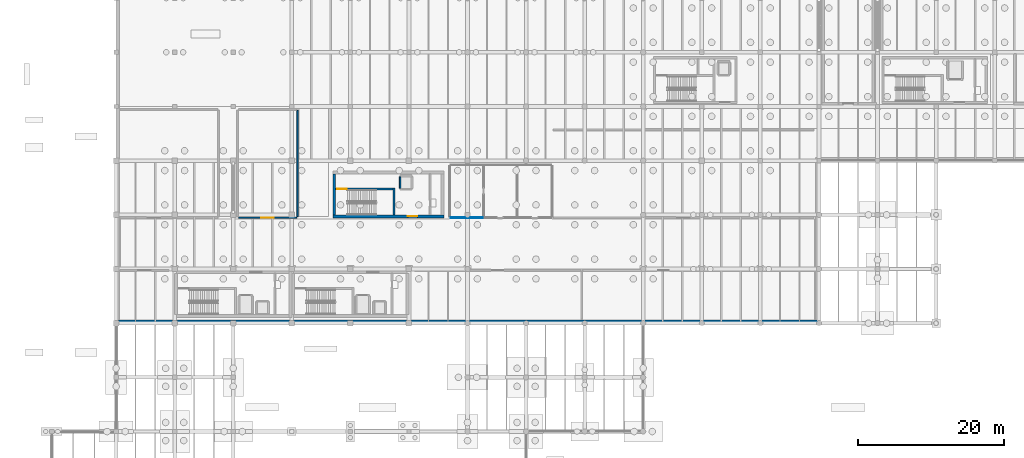
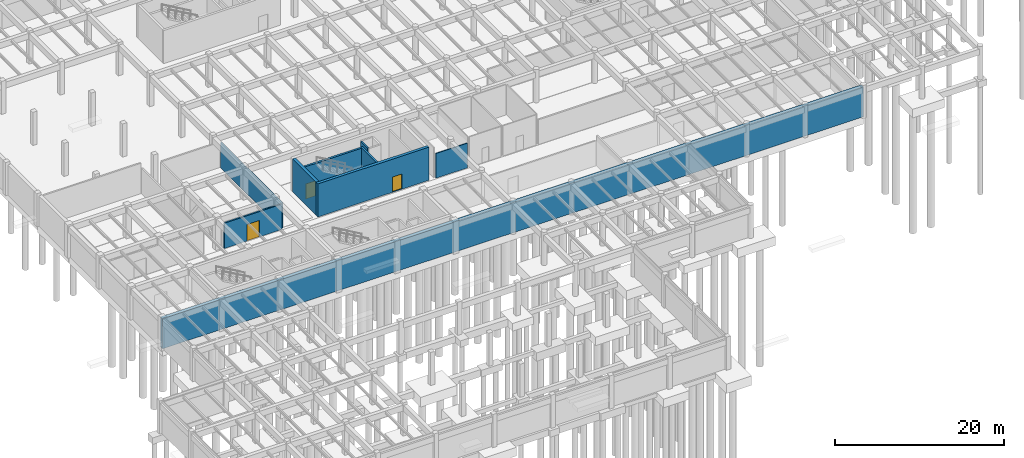
# One storey, part 20 of 40: 9 walls, 3 doors, 3 openings.
"""IFC4 building model written with IfcOpenShell, lengths in metres."""

from ifc_helpers import new_model, si_unit, direction, frame, frame_2d, origin, place, context, subcontext, project, spatial, rectangle, extrude, material, layer, layer_set, type_object, element, fill, save


model = new_model("IFC4")

# Units and contexts
model_context = context("Model", 3, precision=1e-05, world=origin(), true_north=direction((0.0, 1.0)))
body_context = subcontext(model_context, "Body", "Model", "MODEL_VIEW")
ifc_project = project(units=[si_unit("LENGTHUNIT", "METRE"), si_unit("AREAUNIT", "SQUARE_METRE"), si_unit("VOLUMEUNIT", "CUBIC_METRE"), si_unit("PLANEANGLEUNIT", "RADIAN"), si_unit("MASSUNIT", "GRAM", prefix="KILO")], contexts=[model_context])

# Site, building, storey
site_placement = place(None, origin())
site = spatial("IfcSite", under=ifc_project, at=site_placement, CompositionType="ELEMENT")
building_placement = place(site_placement, origin())
building = spatial("IfcBuilding", under=site, at=building_placement, Name="Valkorina Park Police Headquarters", CompositionType="ELEMENT")
storey_placement = place(building_placement, frame((0.0, 0.0, -4.800048828125)))
storey = spatial("IfcBuildingStorey", under=building, at=storey_placement, Name="B01", CompositionType="ELEMENT", Elevation=-4.800048828125)

# Wall
ifc_material_1 = material(Name="Autoclaved aerated concrete masonry", Category="masonry")
ifc_layer_1 = layer(ifc_material_1, 0.219970703125)
ifc_layer_set_1 = layer_set([ifc_layer_1], Name="Autoclaved aerated concrete masonry")
wall_type_1 = type_object("IfcWallType", Name="WL-CHASE-220-EI60", PredefinedType="PLUMBINGWALL", material=ifc_layer_set_1)
wall_1_placement = place(storey_placement, frame((47.590087890625, 55.39990234375, 0.0), z_axis=(0.0, 0.0, 1.0), x_axis=(0.0, 1.0, 0.0)))
element("IfcWall", 1, at=wall_1_placement, inside=storey, type_object=wall_type_1, Name="Lift LF-05 B01 Shaft Side Wall W", PredefinedType="PLUMBINGWALL", context=body_context, shape_type="SweptSolid", body=[
    extrude(rectangle(XDim=1.60009765625, YDim=0.219970703125, at=frame_2d((0.800048828125, 0.0))), origin(), (0.0, 0.0, 1.0), 4.380126953125),
])

# Wall, opening, door
ifc_material_2 = material(Name="Concrete C40/50", Category="concrete")
ifc_layer_2 = layer(ifc_material_2, 0.39990234375)
ifc_layer_set_2 = layer_set([ifc_layer_2], Name="Concrete C40/50")
wall_type_2 = type_object("IfcWallType", Name="WL-CORE-400-REI180", PredefinedType="SHEAR", material=ifc_layer_set_2)
wall_2_placement = place(storey_placement, frame((38.39990234375, 51.60009765625, 0.0), z_axis=(0.0, 0.0, 1.0), x_axis=(1.0, 0.0, 0.0)))
wall_2 = element("IfcWall", 2, at=wall_2_placement, inside=storey, type_object=wall_type_2, Name="Core C3 B01 Shear Wall S", PredefinedType="SHEAR", context=body_context, shape_type="SweptSolid", body=[
    extrude(rectangle(XDim=15.2001953125, YDim=0.39990234375, at=frame_2d((7.60009765625, 0.0))), origin(), (0.0, 0.0, 1.0), 4.795166015625),
])
opening_1_placement = place(wall_2_placement, frame((10.25, 0.0, 0.0)))
opening_1 = element("IfcOpeningElement", 3, at=opening_1_placement, cuts=wall_2, Name="Opening FD-03", PredefinedType="OPENING", context=body_context, shape_type="SweptSolid", body=[
    extrude(rectangle(XDim=1.300048828125, YDim=2.199951171875, at=frame_2d((0.64990234375, 1.10009765625))), frame((0.0, 0.2099609375, 0.0), z_axis=(0.0, -1.0, 0.0), x_axis=(1.0, 0.0, 0.0)), (0.0, 0.0, 1.0), 0.419921875),
])
ifc_material_3 = material(Name="Galvanized steel door leaf", Category="steel")
ifc_layer_3 = layer(ifc_material_3, 0.050048828125)
ifc_layer_set_3 = layer_set([ifc_layer_3], Name="Galvanized steel door leaf")
door_type_1 = type_object("IfcDoorType", Name="DR-FIRE-STAIR-1300x2200", OperationType="NOTDEFINED", PredefinedType="DOOR", material=ifc_layer_set_3)
door_1_placement = place(opening_1_placement, origin())
door_1 = element("IfcDoor", 4, at=door_1_placement, inside=storey, type_object=door_type_1, Name="Door D-B01-LBY-C3 (Core C3 Lobby Fire Door)", OperationType="SINGLE_SWING_LEFT", OverallHeight=2.199951171875, OverallWidth=1.300048828125, PredefinedType="DOOR", context=body_context, shape_type="SweptSolid", body=[
    extrude(rectangle(XDim=1.300048828125, YDim=2.199951171875, at=frame_2d((0.64990234375, 1.10009765625))), frame((0.0, 0.02490234375, 0.0), z_axis=(0.0, -1.0, 0.0), x_axis=(1.0, 0.0, 0.0)), (0.0, 0.0, 1.0), 0.050048828125),
])
fill(opening_1, door_1)

# Wall
wall_3_placement = place(storey_placement, frame((38.60009765625, 51.800048828125, 0.0), z_axis=(0.0, 0.0, 1.0), x_axis=(0.0, 1.0, 0.0)))
element("IfcWall", 5, at=wall_3_placement, inside=storey, type_object=wall_type_2, Name="Core C3 B01 Shear Wall W", PredefinedType="SHEAR", context=body_context, shape_type="SweptSolid", body=[
    extrude(rectangle(XDim=5.599853515625, YDim=0.39990234375, at=frame_2d((2.7998046875, 0.0))), origin(), (0.0, 0.0, 1.0), 4.795166015625),
])

# Wall, opening, door
ifc_layer_4 = layer(ifc_material_1, 0.199951171875)
ifc_layer_set_4 = layer_set([ifc_layer_4], Name="Autoclaved aerated concrete masonry")
wall_type_3 = type_object("IfcWallType", Name="WL-CORR-200-EI60", PredefinedType="STANDARD", material=ifc_layer_set_4)
wall_4_placement = place(storey_placement, frame((25.5400390625, 51.39990234375, 0.0), z_axis=(0.0, 0.0, 1.0), x_axis=(1.0, 0.0, 0.0)))
wall_4 = element("IfcWall", 6, at=wall_4_placement, inside=storey, type_object=wall_type_3, Name="B01 Interior Partition 0005 (B01-PLT-03)", PredefinedType="STANDARD", context=body_context, shape_type="SweptSolid", body=[
    extrude(rectangle(XDim=7.919921875, YDim=0.199951171875, at=frame_2d((3.9599609375, 0.0))), origin(), (0.0, 0.0, 1.0), 3.670166015625),
])
opening_2_placement = place(wall_4_placement, frame((3.110107421875, 0.0, 0.0)))
opening_2 = element("IfcOpeningElement", 7, at=opening_2_placement, cuts=wall_4, Name="Opening FD-08", PredefinedType="OPENING", context=body_context, shape_type="SweptSolid", body=[
    extrude(rectangle(XDim=1.699951171875, YDim=2.39990234375, at=frame_2d((0.85009765625, 1.199951171875))), frame((0.0, 0.10986328125, 0.0), z_axis=(0.0, -1.0, 0.0), x_axis=(1.0, 0.0, 0.0)), (0.0, 0.0, 1.0), 0.219970703125),
])
ifc_layer_5 = layer(ifc_material_3, 0.050048828125)
ifc_layer_set_5 = layer_set([ifc_layer_5], Name="Galvanized steel door leaf")
door_type_2 = type_object("IfcDoorType", Name="DR-FIRE-PLANT-1700x2400", OperationType="NOTDEFINED", PredefinedType="DOOR", material=ifc_layer_set_5)
door_2_placement = place(opening_2_placement, origin())
door_2 = element("IfcDoor", 8, at=door_2_placement, inside=storey, type_object=door_type_2, Name="Door D-B01-I003 (B01-PLT-03)", OperationType="DOUBLE_DOOR_SINGLE_SWING", OverallHeight=2.39990234375, OverallWidth=1.699951171875, PredefinedType="DOOR", context=body_context, shape_type="SweptSolid", body=[
    extrude(rectangle(XDim=1.699951171875, YDim=2.39990234375, at=frame_2d((0.85009765625, 1.199951171875))), frame((0.0, 0.02490234375, 0.0), z_axis=(0.0, -1.0, 0.0), x_axis=(1.0, 0.0, 0.0)), (0.0, 0.0, 1.0), 0.050048828125),
])
fill(opening_2, door_2)

# Walls
wall_5_placement = place(storey_placement, frame((33.60009765625, 51.5400390625, 0.0), z_axis=(0.0, 0.0, 1.0), x_axis=(0.0, 1.0, 0.0)))
element("IfcWall", 9, at=wall_5_placement, inside=storey, type_object=wall_type_3, Name="B01 Interior Partition 0008 (B01-PLT-03)", PredefinedType="STANDARD", context=body_context, shape_type="SweptSolid", body=[
    extrude(rectangle(XDim=14.52001953125, YDim=0.199951171875, at=frame_2d((7.260009765625, 0.0))), origin(), (0.0, 0.0, 1.0), 3.630126953125),
])
ifc_material_4 = material(Name="Gypsum plasterboard")
ifc_layer_6 = layer(ifc_material_4, 0.125)
ifc_layer_set_6 = layer_set([ifc_layer_6], Name="Gypsum plasterboard")
wall_type_4 = type_object("IfcWallType", Name="WL-PART-125-EI30", PredefinedType="PARTITIONING", material=ifc_layer_set_6)
wall_6_placement = place(storey_placement, frame((54.5400390625, 51.39990234375, 0.0), z_axis=(0.0, 0.0, 1.0), x_axis=(1.0, 0.0, 0.0)))
element("IfcWall", 10, at=wall_6_placement, inside=storey, type_object=wall_type_4, Name="B01 Interior Partition 0009 (B01-WC-M)", PredefinedType="PARTITIONING", context=body_context, shape_type="SweptSolid", body=[
    extrude(rectangle(XDim=4.320068359375, YDim=0.125, at=frame_2d((2.16015625, 0.0))), origin(), (0.0, 0.0, 1.0), 3.580078125),
])
ifc_material_5 = material(Name="Concrete C35/45", Category="concrete")
ifc_layer_7 = layer(ifc_material_5, 0.449951171875)
ifc_layer_set_7 = layer_set([ifc_layer_7], Name="Concrete C35/45")
wall_type_5 = type_object("IfcWallType", Name="WL-RETAIN-450-REI120", PredefinedType="SOLIDWALL", material=ifc_layer_set_7)
wall_7_placement = place(storey_placement, frame((104.800048828125, 37.22509765625, 0.0), z_axis=(0.0, 0.0, 1.0), x_axis=(-1.0, 0.0, 0.0)))
element("IfcWall", 11, at=wall_7_placement, inside=storey, type_object=wall_type_5, Name="B01 Basement Retaining Wall 01", PredefinedType="SOLIDWALL", context=body_context, shape_type="SweptSolid", body=[
    extrude(rectangle(XDim=96.0, YDim=0.449951171875, at=frame_2d((48.0, 0.0))), origin(), (0.0, 0.0, 1.0), 4.380126953125),
])
ifc_layer_8 = layer(ifc_material_2, 0.280029296875)
ifc_layer_set_8 = layer_set([ifc_layer_8], Name="Concrete C40/50")
wall_type_6 = type_object("IfcWallType", Name="WL-STAIR-280-REI120", PredefinedType="SHEAR", material=ifc_layer_set_8)
wall_8_placement = place(storey_placement, frame((46.739990234375, 51.800048828125, 0.0), z_axis=(0.0, 0.0, 1.0), x_axis=(0.0, 1.0, 0.0)))
element("IfcWall", 12, at=wall_8_placement, inside=storey, type_object=wall_type_6, Name="Core C3 B01 Shear Wall DIV", PredefinedType="SHEAR", context=body_context, shape_type="SweptSolid", body=[
    extrude(rectangle(XDim=3.679931640625, YDim=0.280029296875, at=frame_2d((1.83984375, 0.0))), origin(), (0.0, 0.0, 1.0), 4.795166015625),
])

# Wall, opening, door
wall_9_placement = place(storey_placement, frame((38.800048828125, 55.340087890625, 0.0), z_axis=(0.0, 0.0, 1.0), x_axis=(1.0, 0.0, 0.0)))
wall_9 = element("IfcWall", 13, at=wall_9_placement, inside=storey, type_object=wall_type_6, Name="Core C3 B01 Shear Wall SIDE", PredefinedType="SHEAR", context=body_context, shape_type="SweptSolid", body=[
    extrude(rectangle(XDim=7.800048828125, YDim=0.280029296875, at=frame_2d((3.89990234375, 0.0))), origin(), (0.0, 0.0, 1.0), 4.795166015625),
])
opening_3_placement = place(wall_9_placement, frame((0.199951171875, 0.0, 0.0)))
opening_3 = element("IfcOpeningElement", 14, at=opening_3_placement, cuts=wall_9, Name="Opening FD-03", PredefinedType="OPENING", context=body_context, shape_type="SweptSolid", body=[
    extrude(rectangle(XDim=1.300048828125, YDim=2.199951171875, at=frame_2d((0.64990234375, 1.10009765625))), frame((0.0, 0.14990234375, 0.0), z_axis=(0.0, -1.0, 0.0), x_axis=(1.0, 0.0, 0.0)), (0.0, 0.0, 1.0), 0.300048828125),
])
door_3_placement = place(opening_3_placement, origin())
door_3 = element("IfcDoor", 15, at=door_3_placement, inside=storey, type_object=door_type_1, Name="Door D-B01-C091 (ST-03 Stair Fire Door)", OperationType="SINGLE_SWING_RIGHT", OverallHeight=2.199951171875, OverallWidth=1.300048828125, PredefinedType="DOOR", context=body_context, shape_type="SweptSolid", body=[
    extrude(rectangle(XDim=1.300048828125, YDim=2.199951171875, at=frame_2d((0.64990234375, 1.10009765625))), frame((0.0, 0.02490234375, 0.0), z_axis=(0.0, -1.0, 0.0), x_axis=(1.0, 0.0, 0.0)), (0.0, 0.0, 1.0), 0.050048828125),
])
fill(opening_3, door_3)

save(model, "model.ifc")
